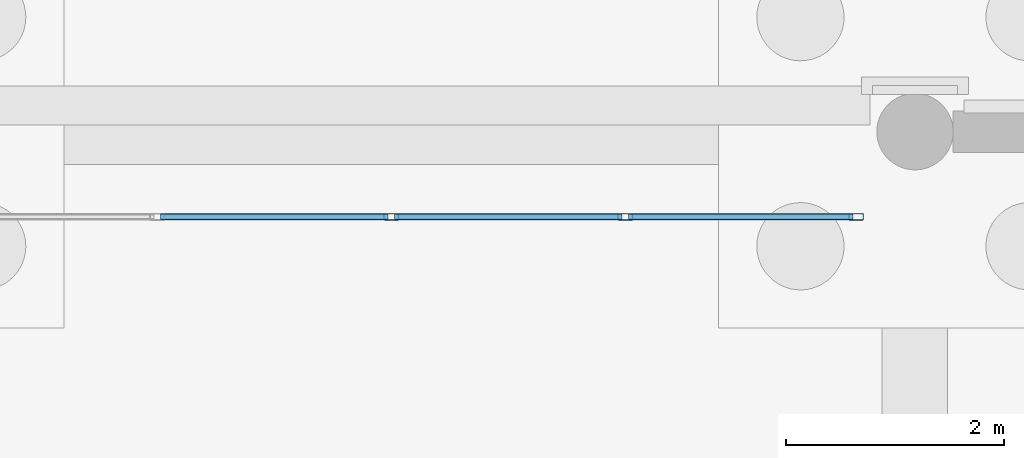
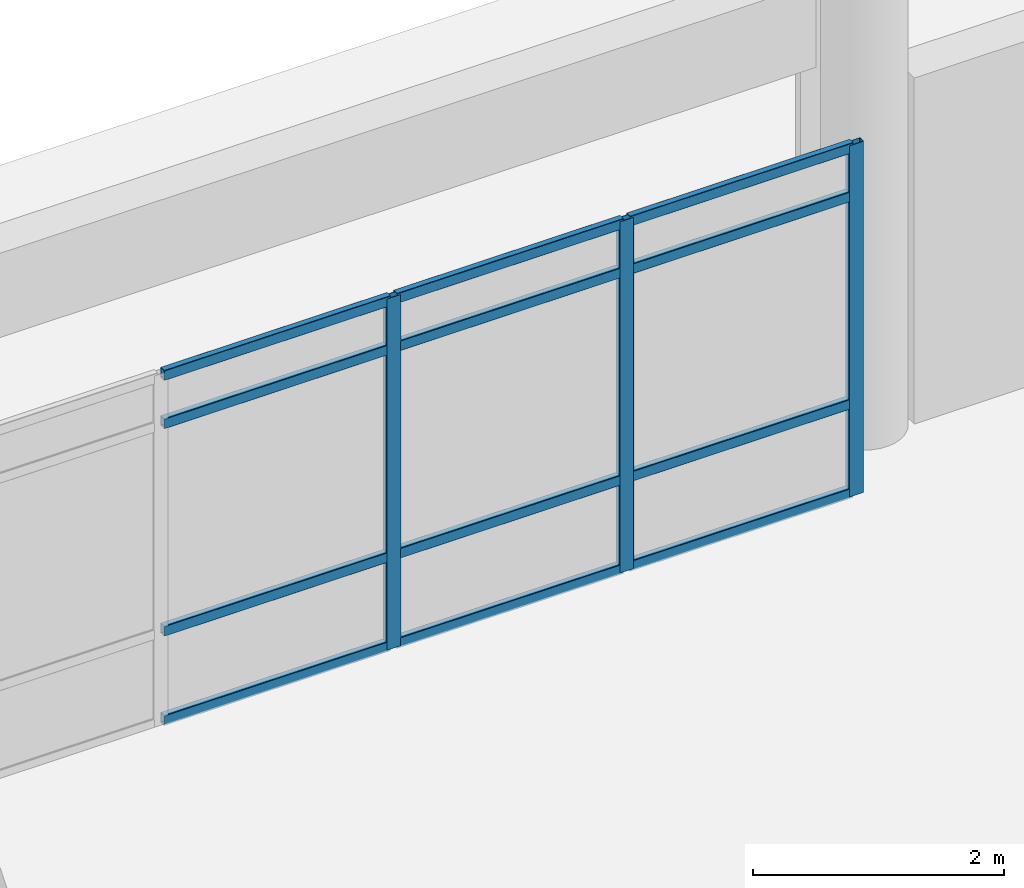
# One storey, part 121 of 196: 15 members, 1 element without a shape of its own.
"""IFC4 building model written with IfcOpenShell, lengths in metres."""

from ifc_helpers import new_model, si_unit, direction, frame, origin, origin_2d, place, context, subcontext, project, spatial, hollow_rectangle, extrude, material, layer, layer_set, material_profile, profile_set, type_object, element, aggregate, save


model = new_model("IFC4")

# Units and contexts
model_context = context("Model", 3, precision=1e-05, world=origin(), true_north=direction((0.0, 1.0)))
body_context = subcontext(model_context, "Body", "Model", "MODEL_VIEW")
ifc_project = project(units=[si_unit("LENGTHUNIT", "METRE"), si_unit("AREAUNIT", "SQUARE_METRE"), si_unit("VOLUMEUNIT", "CUBIC_METRE"), si_unit("PLANEANGLEUNIT", "RADIAN"), si_unit("MASSUNIT", "GRAM", prefix="KILO")], contexts=[model_context])

# Site, building, storey
site_placement = place(None, origin())
site = spatial("IfcSite", under=ifc_project, at=site_placement, CompositionType="ELEMENT")
building_placement = place(site_placement, origin())
building = spatial("IfcBuilding", under=site, at=building_placement, Name="Asteropetra Specialist Clinic", CompositionType="ELEMENT")
storey_placement = place(building_placement, origin())
storey = spatial("IfcBuildingStorey", under=building, at=storey_placement, Name="L00", CompositionType="ELEMENT", Elevation=0.0)

# Curtain wall, members
ifc_material_1 = material(Name="Aluminium and low-E glass", Category="aluminium")
ifc_layer = layer(ifc_material_1, 0.179931640625)
ifc_layer_set = layer_set([ifc_layer], Name="Aluminium and low-E glass")
curtain_wall_type = type_object("IfcCurtainWallType", Name="CW-SYS-10", PredefinedType="USERDEFINED", material=ifc_layer_set)
curtain_wall_placement = place(storey_placement, origin())
curtain_wall = element("IfcCurtainWall", 1, at=curtain_wall_placement, inside=storey, type_object=curtain_wall_type, Name="Curtain Wall CW-209", ObjectType="STICK GLAZED COLONNADE", PredefinedType="USERDEFINED")
ifc_material_2 = material(Name="Aluminium 6063-T6", Category="aluminium")
ifc_material_profile_1 = material_profile(ifc_material_2, hollow_rectangle(XDim=0.06005859375, YDim=0.135009765625, WallThickness=0.00341796875, InnerFilletRadius=0.00341796875, OuterFilletRadius=0.007080078125, at=origin_2d()), Name="MUL 135x60x3.5")
ifc_profile_set_1 = profile_set([ifc_material_profile_1], Name="Aluminium 6063-T6")
member_type_1 = type_object("IfcMemberType", Name="CWM-135x60", PredefinedType="MULLION", material=ifc_profile_set_1)
member_1_placement = place(storey_placement, frame((114.659912109375, 104.820068359375, 0.0), z_axis=(0.0, 0.0, 1.0), x_axis=(0.0, -1.0, 0.0)))
member_1 = element("IfcMember", 2, at=member_1_placement, type_object=member_type_1, Name="CW-209 mullion 1", PredefinedType="MULLION", context=body_context, shape_type="SweptSolid", body=[
    extrude(hollow_rectangle(XDim=0.06005859375, YDim=0.135009765625, WallThickness=0.00341796875, InnerFilletRadius=0.00341796875, OuterFilletRadius=0.007080078125, at=origin_2d()), origin(), (0.0, 0.0, 1.0), 3.419921875),
])
member_2_placement = place(storey_placement, frame((112.544921875, 104.820068359375, 0.0), z_axis=(0.0, 0.0, 1.0), x_axis=(0.0, -1.0, 0.0)))
member_2 = element("IfcMember", 3, at=member_2_placement, type_object=member_type_1, Name="CW-209 mullion 2", PredefinedType="MULLION", context=body_context, shape_type="SweptSolid", body=[
    extrude(hollow_rectangle(XDim=0.06005859375, YDim=0.135009765625, WallThickness=0.00341796875, InnerFilletRadius=0.00341796875, OuterFilletRadius=0.007080078125, at=origin_2d()), origin(), (0.0, 0.0, 1.0), 3.419921875),
])
member_3_placement = place(storey_placement, frame((110.39990234375, 104.820068359375, 0.0), z_axis=(0.0, 0.0, 1.0), x_axis=(0.0, -1.0, 0.0)))
member_3 = element("IfcMember", 4, at=member_3_placement, type_object=member_type_1, Name="CW-209 mullion 3", PredefinedType="MULLION", context=body_context, shape_type="SweptSolid", body=[
    extrude(hollow_rectangle(XDim=0.06005859375, YDim=0.135009765625, WallThickness=0.00341796875, InnerFilletRadius=0.00341796875, OuterFilletRadius=0.007080078125, at=origin_2d()), origin(), (0.0, 0.0, 1.0), 3.419921875),
])
ifc_material_3 = material(Name="Aluminium 6063-T6", Category="aluminium")
ifc_material_profile_2 = material_profile(ifc_material_3, hollow_rectangle(XDim=0.06005859375, YDim=0.10009765625, WallThickness=0.00341796875, InnerFilletRadius=0.00341796875, OuterFilletRadius=0.007080078125, at=origin_2d()), Name="TRN 100x60x3.5")
ifc_profile_set_2 = profile_set([ifc_material_profile_2], Name="Aluminium 6063-T6")
member_type_2 = type_object("IfcMemberType", Name="CWT-100x60", PredefinedType="USERDEFINED", material=ifc_profile_set_2)
member_4_placement = place(storey_placement, frame((114.6298828125, 104.820068359375, 0.030029296875), z_axis=(-1.0, 0.0, 0.0), x_axis=(0.0, -1.0, 0.0)))
member_4 = element("IfcMember", 5, at=member_4_placement, type_object=member_type_2, Name="CW-209 transom 1.1", ObjectType="TRANSOM", PredefinedType="USERDEFINED", context=body_context, shape_type="SweptSolid", body=[
    extrude(hollow_rectangle(XDim=0.06005859375, YDim=0.10009765625, WallThickness=0.00341796875, InnerFilletRadius=0.00341796875, OuterFilletRadius=0.007080078125, at=origin_2d()), origin(), (0.0, 0.0, 1.0), 2.054931640625),
])
member_5_placement = place(storey_placement, frame((114.6298828125, 104.820068359375, 0.89990234375), z_axis=(-1.0, 0.0, 0.0), x_axis=(0.0, -1.0, 0.0)))
member_5 = element("IfcMember", 6, at=member_5_placement, type_object=member_type_2, Name="CW-209 transom 1.2", ObjectType="TRANSOM", PredefinedType="USERDEFINED", context=body_context, shape_type="SweptSolid", body=[
    extrude(hollow_rectangle(XDim=0.06005859375, YDim=0.10009765625, WallThickness=0.00341796875, InnerFilletRadius=0.00341796875, OuterFilletRadius=0.007080078125, at=origin_2d()), origin(), (0.0, 0.0, 1.0), 2.054931640625),
])
member_6_placement = place(storey_placement, frame((114.6298828125, 104.820068359375, 2.919921875), z_axis=(-1.0, 0.0, 0.0), x_axis=(0.0, -1.0, 0.0)))
member_6 = element("IfcMember", 7, at=member_6_placement, type_object=member_type_2, Name="CW-209 transom 1.3", ObjectType="TRANSOM", PredefinedType="USERDEFINED", context=body_context, shape_type="SweptSolid", body=[
    extrude(hollow_rectangle(XDim=0.06005859375, YDim=0.10009765625, WallThickness=0.00341796875, InnerFilletRadius=0.00341796875, OuterFilletRadius=0.007080078125, at=origin_2d()), origin(), (0.0, 0.0, 1.0), 2.054931640625),
])
member_7_placement = place(storey_placement, frame((114.6298828125, 104.820068359375, 3.389892578125), z_axis=(-1.0, 0.0, 0.0), x_axis=(0.0, -1.0, 0.0)))
member_7 = element("IfcMember", 8, at=member_7_placement, type_object=member_type_2, Name="CW-209 transom 1.4", ObjectType="TRANSOM", PredefinedType="USERDEFINED", context=body_context, shape_type="SweptSolid", body=[
    extrude(hollow_rectangle(XDim=0.06005859375, YDim=0.10009765625, WallThickness=0.00341796875, InnerFilletRadius=0.00341796875, OuterFilletRadius=0.007080078125, at=origin_2d()), origin(), (0.0, 0.0, 1.0), 2.054931640625),
])
member_8_placement = place(storey_placement, frame((112.514892578125, 104.820068359375, 0.030029296875), z_axis=(-1.0, 0.0, 0.0), x_axis=(0.0, -1.0, 0.0)))
member_8 = element("IfcMember", 9, at=member_8_placement, type_object=member_type_2, Name="CW-209 transom 2.1", ObjectType="TRANSOM", PredefinedType="USERDEFINED", context=body_context, shape_type="SweptSolid", body=[
    extrude(hollow_rectangle(XDim=0.06005859375, YDim=0.10009765625, WallThickness=0.00341796875, InnerFilletRadius=0.00341796875, OuterFilletRadius=0.007080078125, at=origin_2d()), origin(), (0.0, 0.0, 1.0), 2.0849609375),
])
member_9_placement = place(storey_placement, frame((112.514892578125, 104.820068359375, 0.89990234375), z_axis=(-1.0, 0.0, 0.0), x_axis=(0.0, -1.0, 0.0)))
member_9 = element("IfcMember", 10, at=member_9_placement, type_object=member_type_2, Name="CW-209 transom 2.2", ObjectType="TRANSOM", PredefinedType="USERDEFINED", context=body_context, shape_type="SweptSolid", body=[
    extrude(hollow_rectangle(XDim=0.06005859375, YDim=0.10009765625, WallThickness=0.00341796875, InnerFilletRadius=0.00341796875, OuterFilletRadius=0.007080078125, at=origin_2d()), origin(), (0.0, 0.0, 1.0), 2.0849609375),
])
member_10_placement = place(storey_placement, frame((112.514892578125, 104.820068359375, 2.919921875), z_axis=(-1.0, 0.0, 0.0), x_axis=(0.0, -1.0, 0.0)))
member_10 = element("IfcMember", 11, at=member_10_placement, type_object=member_type_2, Name="CW-209 transom 2.3", ObjectType="TRANSOM", PredefinedType="USERDEFINED", context=body_context, shape_type="SweptSolid", body=[
    extrude(hollow_rectangle(XDim=0.06005859375, YDim=0.10009765625, WallThickness=0.00341796875, InnerFilletRadius=0.00341796875, OuterFilletRadius=0.007080078125, at=origin_2d()), origin(), (0.0, 0.0, 1.0), 2.0849609375),
])
member_11_placement = place(storey_placement, frame((112.514892578125, 104.820068359375, 3.389892578125), z_axis=(-1.0, 0.0, 0.0), x_axis=(0.0, -1.0, 0.0)))
member_11 = element("IfcMember", 12, at=member_11_placement, type_object=member_type_2, Name="CW-209 transom 2.4", ObjectType="TRANSOM", PredefinedType="USERDEFINED", context=body_context, shape_type="SweptSolid", body=[
    extrude(hollow_rectangle(XDim=0.06005859375, YDim=0.10009765625, WallThickness=0.00341796875, InnerFilletRadius=0.00341796875, OuterFilletRadius=0.007080078125, at=origin_2d()), origin(), (0.0, 0.0, 1.0), 2.0849609375),
])
member_12_placement = place(storey_placement, frame((110.3701171875, 104.820068359375, 0.030029296875), z_axis=(-1.0, 0.0, 0.0), x_axis=(0.0, -1.0, 0.0)))
member_12 = element("IfcMember", 13, at=member_12_placement, type_object=member_type_2, Name="CW-209 transom 3.1", ObjectType="TRANSOM", PredefinedType="USERDEFINED", context=body_context, shape_type="SweptSolid", body=[
    extrude(hollow_rectangle(XDim=0.06005859375, YDim=0.10009765625, WallThickness=0.00341796875, InnerFilletRadius=0.00341796875, OuterFilletRadius=0.007080078125, at=origin_2d()), origin(), (0.0, 0.0, 1.0), 2.085205078125),
])
member_13_placement = place(storey_placement, frame((110.3701171875, 104.820068359375, 0.89990234375), z_axis=(-1.0, 0.0, 0.0), x_axis=(0.0, -1.0, 0.0)))
member_13 = element("IfcMember", 14, at=member_13_placement, type_object=member_type_2, Name="CW-209 transom 3.2", ObjectType="TRANSOM", PredefinedType="USERDEFINED", context=body_context, shape_type="SweptSolid", body=[
    extrude(hollow_rectangle(XDim=0.06005859375, YDim=0.10009765625, WallThickness=0.00341796875, InnerFilletRadius=0.00341796875, OuterFilletRadius=0.007080078125, at=origin_2d()), origin(), (0.0, 0.0, 1.0), 2.085205078125),
])
member_14_placement = place(storey_placement, frame((110.3701171875, 104.820068359375, 2.919921875), z_axis=(-1.0, 0.0, 0.0), x_axis=(0.0, -1.0, 0.0)))
member_14 = element("IfcMember", 15, at=member_14_placement, type_object=member_type_2, Name="CW-209 transom 3.3", ObjectType="TRANSOM", PredefinedType="USERDEFINED", context=body_context, shape_type="SweptSolid", body=[
    extrude(hollow_rectangle(XDim=0.06005859375, YDim=0.10009765625, WallThickness=0.00341796875, InnerFilletRadius=0.00341796875, OuterFilletRadius=0.007080078125, at=origin_2d()), origin(), (0.0, 0.0, 1.0), 2.085205078125),
])
member_15_placement = place(storey_placement, frame((110.3701171875, 104.820068359375, 3.389892578125), z_axis=(-1.0, 0.0, 0.0), x_axis=(0.0, -1.0, 0.0)))
member_15 = element("IfcMember", 16, at=member_15_placement, type_object=member_type_2, Name="CW-209 transom 3.4", ObjectType="TRANSOM", PredefinedType="USERDEFINED", context=body_context, shape_type="SweptSolid", body=[
    extrude(hollow_rectangle(XDim=0.06005859375, YDim=0.10009765625, WallThickness=0.00341796875, InnerFilletRadius=0.00341796875, OuterFilletRadius=0.007080078125, at=origin_2d()), origin(), (0.0, 0.0, 1.0), 2.085205078125),
])
aggregate(curtain_wall, [member_1, member_2, member_3, member_4, member_5, member_6, member_7, member_8, member_9, member_10, member_11, member_12, member_13, member_14, member_15])

save(model, "model.ifc")
